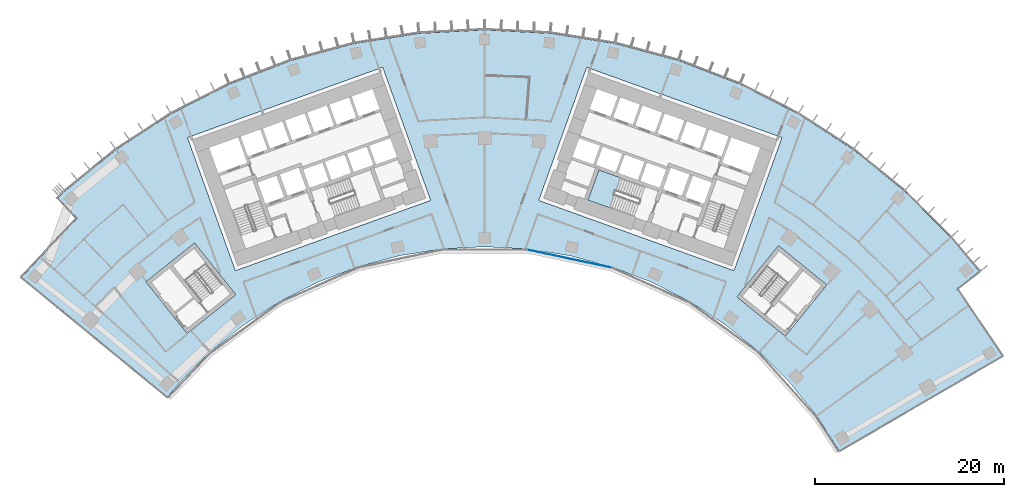
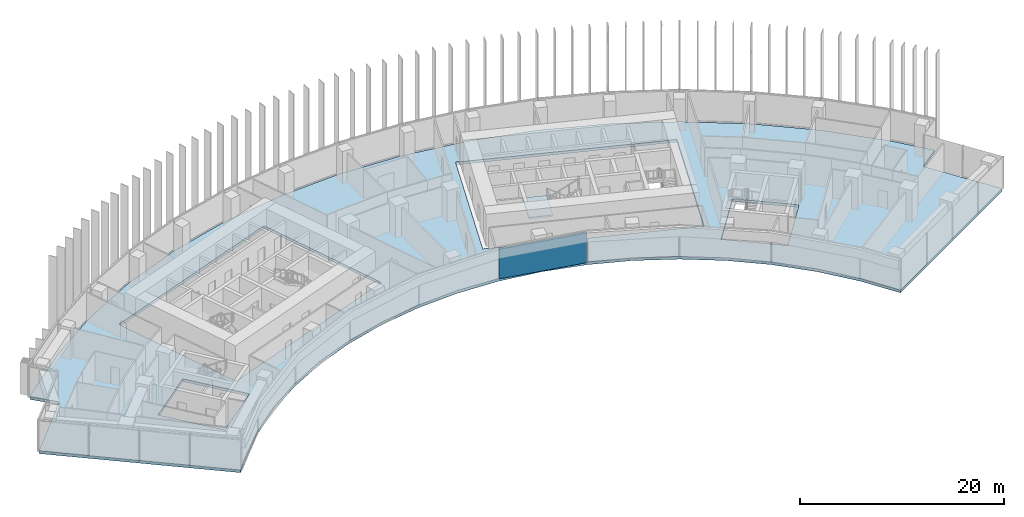
# One storey, part 13 of 22: 2 slabs, 1 plate, 2 elements without a shape of their own.
"""IFC4 building model written with IfcOpenShell, lengths in metres."""

from ifc_helpers import new_model, si_unit, direction, frame, origin, origin_2d, place, context, subcontext, project, spatial, polyline, rectangle, outline, extrude, material, layer, layer_set, type_object, element, aggregate, save


model = new_model("IFC4")

# Units and contexts
model_context = context("Model", 3, precision=1e-05, world=origin(), true_north=direction((0.0, 1.0)))
body_context = subcontext(model_context, "Body", "Model", "MODEL_VIEW")
ifc_project = project(units=[si_unit("LENGTHUNIT", "METRE"), si_unit("AREAUNIT", "SQUARE_METRE"), si_unit("VOLUMEUNIT", "CUBIC_METRE"), si_unit("PLANEANGLEUNIT", "RADIAN"), si_unit("MASSUNIT", "GRAM", prefix="KILO")], contexts=[model_context])

# Site, building, storey
site_placement = place(None, origin())
site = spatial("IfcSite", under=ifc_project, at=site_placement, CompositionType="ELEMENT")
building_placement = place(site_placement, origin())
building = spatial("IfcBuilding", under=site, at=building_placement, Name="Stone Belt Terrace Tower", CompositionType="ELEMENT")
storey_placement = place(building_placement, frame((0.0, 0.0, 109.800048828125)))
storey = spatial("IfcBuildingStorey", under=building, at=storey_placement, Name="L26", CompositionType="ELEMENT", Elevation=109.800048828125)

# Curtain wall, plate
ifc_material_1 = material(Name="Aluminium 6063-T6 anodised frame", Category="aluminium")
ifc_layer_1 = layer(ifc_material_1, 0.14990234375)
ifc_layer_set_1 = layer_set([ifc_layer_1], Name="CW-B unitised concave-face curtain wall")
curtain_wall_type = type_object("IfcCurtainWallType", Name="CW-B unitised concave-face curtain wall", PredefinedType="NOTDEFINED", material=ifc_layer_set_1)
curtain_wall_placement = place(storey_placement, origin())
curtain_wall = element("IfcCurtainWall", 1, at=curtain_wall_placement, inside=storey, type_object=curtain_wall_type, Name="CW-B concave face L26", PredefinedType="NOTDEFINED")
ifc_material_2 = material(Name="Clear double glazed unit")
ifc_layer_2 = layer(ifc_material_2, 0.030029296875)
ifc_layer_set_2 = layer_set([ifc_layer_2], Name="CW-B glass panel 30")
plate_type = type_object("IfcPlateType", Name="CW-B glass panel 30", PredefinedType="CURTAIN_PANEL", material=ifc_layer_set_2)
plate_placement = place(storey_placement, frame((8.97900390625, 42.242919921875, 0.0), z_axis=(0.0, 0.0, 1.0), x_axis=(0.978147600734, -0.207911690818, 0.0)))
plate = element("IfcPlate", 2, at=plate_placement, type_object=plate_type, Name="CW-B panel 6.1", PredefinedType="CURTAIN_PANEL", context=body_context, shape_type="SweptSolid", body=[
    extrude(rectangle(XDim=9.0126953125, YDim=0.030029296875, at=origin_2d()), origin(), (0.0, 0.0, 1.0), 3.679931640625),
])
aggregate(curtain_wall, [plate])

# Slab
ifc_material_3 = material(Name="Concrete B40", Category="concrete")
ifc_layer_3 = layer(ifc_material_3, 0.320068359375)
ifc_layer_set_3 = layer_set([ifc_layer_3], Name="Floor slab 320 B40")
slab_type_1 = type_object("IfcSlabType", Name="Floor slab 320 B40", PredefinedType="FLOOR", material=ifc_layer_set_3)
slab_1_placement = place(storey_placement, frame((0.0, 0.0, -0.320068359375)))
element("IfcSlab", 3, at=slab_1_placement, inside=storey, type_object=slab_type_1, Name="Floor slab L26", PredefinedType="FLOOR", context=body_context, shape_type="SweptSolid", body=[
    extrude(outline(polyline([(-44.497314453125, 49.419189453125), (-39.087646484375, 53.799560546875), (-33.25, 57.5908203125), (-27.048095703125, 60.750732421875), (-20.549560546875, 63.245361328125), (-13.826171875, 65.046875), (-6.951171875, 66.1357421875), (0.0, 66.5), (6.951171875, 66.1357421875), (13.826171875, 65.046875), (20.549560546875, 63.245361328125), (27.048095703125, 60.750732421875), (33.25, 57.5908203125), (39.087646484375, 53.799560546875), (44.497314453125, 49.419189453125), (49.419189453125, 44.497314453125), (52.4326171875, 40.9033203125), (50.067138671875, 39.05810546875), (54.879150390625, 31.945556640625), (37.594482421875, 21.884033203125), (35.192138671875, 25.568603515625), (32.326904296875, 29.107177734375), (29.107177734375, 32.326904296875), (25.568603515625, 35.192138671875), (21.75, 37.672119140625), (17.693115234375, 39.7392578125), (13.442138671875, 41.37109375), (9.044189453125, 42.54931640625), (4.547119140625, 43.26171875), (0.0, 43.5), (-4.547119140625, 43.26171875), (-9.044189453125, 42.54931640625), (-13.442138671875, 41.37109375), (-17.693115234375, 39.7392578125), (-21.75, 37.672119140625), (-25.568603515625, 35.192138671875), (-29.107177734375, 32.326904296875), (-32.326904296875, 29.107177734375), (-33.627685546875, 27.593994140625), (-49.088623046875, 40.281005859375), (-43.204833984375, 46.535888671875), (-45.24609375, 48.734375), (-44.497314453125, 49.419189453125)]), holes=[polyline([(-26.434814453125, 40.968994140625), (-5.734619140625, 48.418701171875), (-10.81396484375, 62.532470703125), (-31.51416015625, 55.082763671875), (-26.434814453125, 40.968994140625)]), polyline([(10.81396484375, 62.532470703125), (5.734619140625, 48.418701171875), (26.434814453125, 40.968994140625), (31.51416015625, 55.082763671875), (10.81396484375, 62.532470703125)]), polyline([(-35.91796875, 39.787353515625), (-31.55615234375, 34.3125), (-26.39404296875, 38.425048828125), (-30.756103515625, 43.89990234375), (-35.91796875, 39.787353515625)]), polyline([(36.2783203125, 39.459228515625), (31.15380859375, 43.61865234375), (26.742431640625, 38.18359375), (31.86669921875, 34.024169921875), (36.2783203125, 39.459228515625)])]), origin(), (0.0, 0.0, 1.0), 0.320068359375),
])

# Stair, slab
stair_type = type_object("IfcStairType", Name="Exit stair 1500", PredefinedType="HALF_TURN_STAIR", material=ifc_material_3)
stair_placement = place(storey_placement, origin())
stair = element("IfcStair", 4, at=stair_placement, inside=storey, type_object=stair_type, Name="L26 Exit stair 2 core B", PredefinedType="HALF_TURN_STAIR")
ifc_layer_4 = layer(ifc_material_3, 0.199951171875)
ifc_layer_set_4 = layer_set([ifc_layer_4], Name="Stair landing 200")
slab_type_2 = type_object("IfcSlabType", Name="Stair landing 200", PredefinedType="LANDING", material=ifc_layer_set_4)
slab_2_placement = place(storey_placement, frame((0.0, 0.0, 1.699951171875)))
slab_2 = element("IfcSlab", 5, at=slab_2_placement, type_object=slab_type_2, Name="ST2B landing 1", PredefinedType="LANDING", context=body_context, shape_type="SweptSolid", body=[
    extrude(outline(polyline([(14.36474609375, 50.839111328125), (12.10595703125, 51.652099609375), (10.95458984375, 48.453125), (13.213623046875, 47.64013671875), (14.36474609375, 50.839111328125)])), origin(), (0.0, 0.0, 1.0), 0.199951171875),
])
aggregate(stair, [slab_2])

save(model, "model.ifc")
